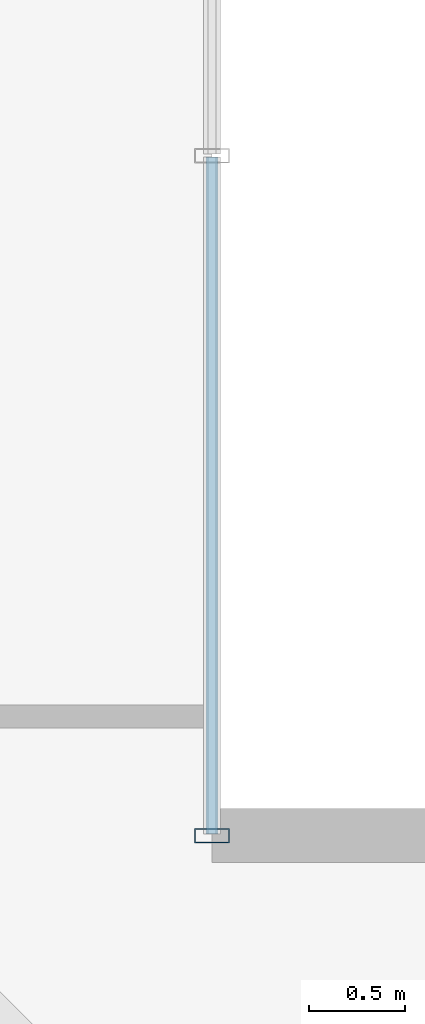
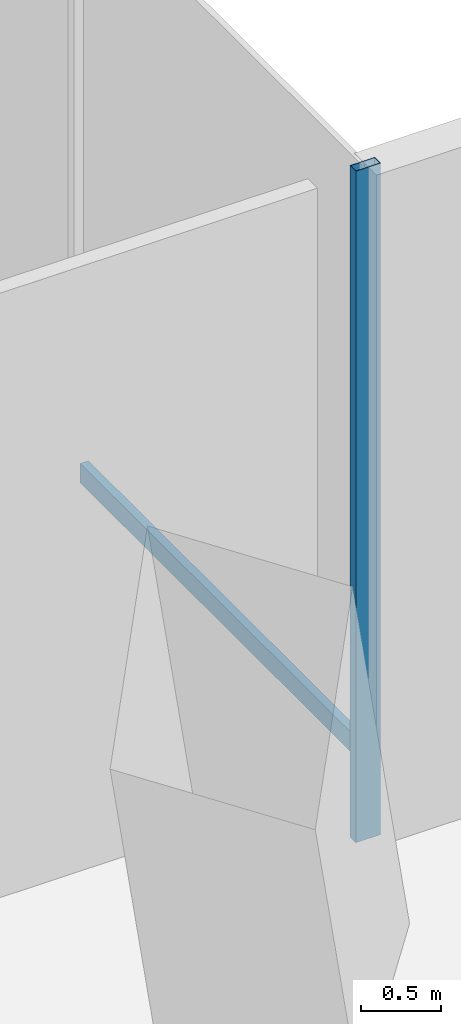
# One storey, part 20 of 28: 2 members, 1 element without a shape of its own.
"""IFC4 building model written with IfcOpenShell, lengths in metres."""

from ifc_helpers import new_model, si_unit, direction, frame, origin, origin_2d, place, context, subcontext, project, spatial, hollow_rectangle, extrude, material, layer, layer_set, material_profile, profile_set, type_object, element, aggregate, save


model = new_model("IFC4")

# Units and contexts
model_context = context("Model", 3, precision=1e-05, world=origin(), true_north=direction((0.0, 1.0)))
body_context = subcontext(model_context, "Body", "Model", "MODEL_VIEW")
ifc_project = project(units=[si_unit("LENGTHUNIT", "METRE"), si_unit("AREAUNIT", "SQUARE_METRE"), si_unit("VOLUMEUNIT", "CUBIC_METRE"), si_unit("PLANEANGLEUNIT", "RADIAN"), si_unit("MASSUNIT", "GRAM", prefix="KILO")], contexts=[model_context])

# Site, building, storey
site_placement = place(None, origin())
site = spatial("IfcSite", under=ifc_project, at=site_placement, CompositionType="ELEMENT")
building_placement = place(site_placement, origin())
building = spatial("IfcBuilding", under=site, at=building_placement, Name="Belovzor Exchange Tower", CompositionType="ELEMENT")
storey_placement = place(building_placement, frame((0.0, 0.0, 132.89990234375)))
storey = spatial("IfcBuildingStorey", under=building, at=storey_placement, Name="L32", CompositionType="ELEMENT", Elevation=132.89990234375)

# Curtain wall, members
ifc_material_1 = material(Name="Anodised Aluminium Framing", Category="aluminium")
ifc_layer = layer(ifc_material_1, 0.195068359375)
ifc_layer_set = layer_set([ifc_layer], Name="Anodised Aluminium Framing")
curtain_wall_type = type_object("IfcCurtainWallType", Name="Notched Re-Entrant Corner Unitised Curtain Wall", PredefinedType="NOTDEFINED", material=ifc_layer_set)
curtain_wall_placement = place(storey_placement, origin())
curtain_wall = element("IfcCurtainWall", 1, at=curtain_wall_placement, inside=storey, type_object=curtain_wall_type, Name="CW5 Notched Re-Entrant Corner Unitised Curtain Wall L32", PredefinedType="NOTDEFINED")
ifc_material_2 = material(Name="Steel S355", Category="steel")
ifc_material_profile_1 = material_profile(ifc_material_2, hollow_rectangle(XDim=0.074951171875, YDim=0.179931640625, WallThickness=0.0048828125, at=origin_2d()))
ifc_profile_set_1 = profile_set([ifc_material_profile_1], Name="Steel S355")
member_type_1 = type_object("IfcMemberType", Name="Thermally Broken Curtain Wall Mullion 180x75", PredefinedType="MULLION", material=ifc_profile_set_1)
member_1_placement = place(storey_placement, frame((47.699951171875, 47.699951171875, 0.0), z_axis=(0.0, 0.0, 1.0), x_axis=(0.0, -1.0, 0.0)))
member_1 = element("IfcMember", 2, at=member_1_placement, type_object=member_type_1, Name="CW-M180 Curtain Wall Mullion 3", PredefinedType="MULLION", context=body_context, shape_type="SweptSolid", body=[
    extrude(hollow_rectangle(XDim=0.074951171875, YDim=0.179931640625, WallThickness=0.0048828125, at=origin_2d()), origin(), (0.0, 0.0, 1.0), 5.14501953125),
])
ifc_material_3 = material(Name="Steel S355", Category="steel")
ifc_material_profile_2 = material_profile(ifc_material_3, hollow_rectangle(XDim=0.06005859375, YDim=0.14990234375, WallThickness=0.00390625, at=origin_2d()))
ifc_profile_set_2 = profile_set([ifc_material_profile_2], Name="Steel S355")
member_type_2 = type_object("IfcMemberType", Name="Thermally Broken Curtain Wall Transom 150x60", PredefinedType="USERDEFINED", material=ifc_profile_set_2)
member_2_placement = place(storey_placement, frame((47.699951171875, 51.22705078125, 0.650146484375), z_axis=(0.0, -1.0, 0.0), x_axis=(1.0, 0.0, 0.0)))
member_2 = element("IfcMember", 3, at=member_2_placement, type_object=member_type_2, Name="CW-T150 Curtain Wall Transom 2", ObjectType="TRANSOM", PredefinedType="USERDEFINED", context=body_context, shape_type="SweptSolid", body=[
    extrude(hollow_rectangle(XDim=0.06005859375, YDim=0.14990234375, WallThickness=0.00390625, at=origin_2d()), origin(), (0.0, 0.0, 1.0), 3.51904296875),
])
aggregate(curtain_wall, [member_1, member_2])

save(model, "model.ifc")
